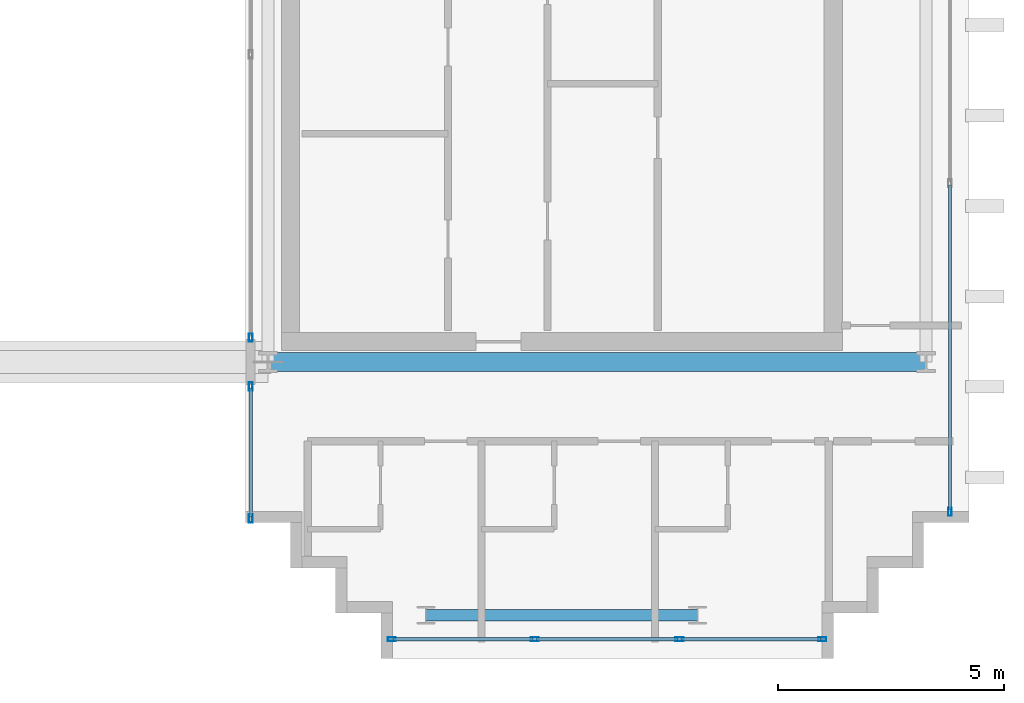
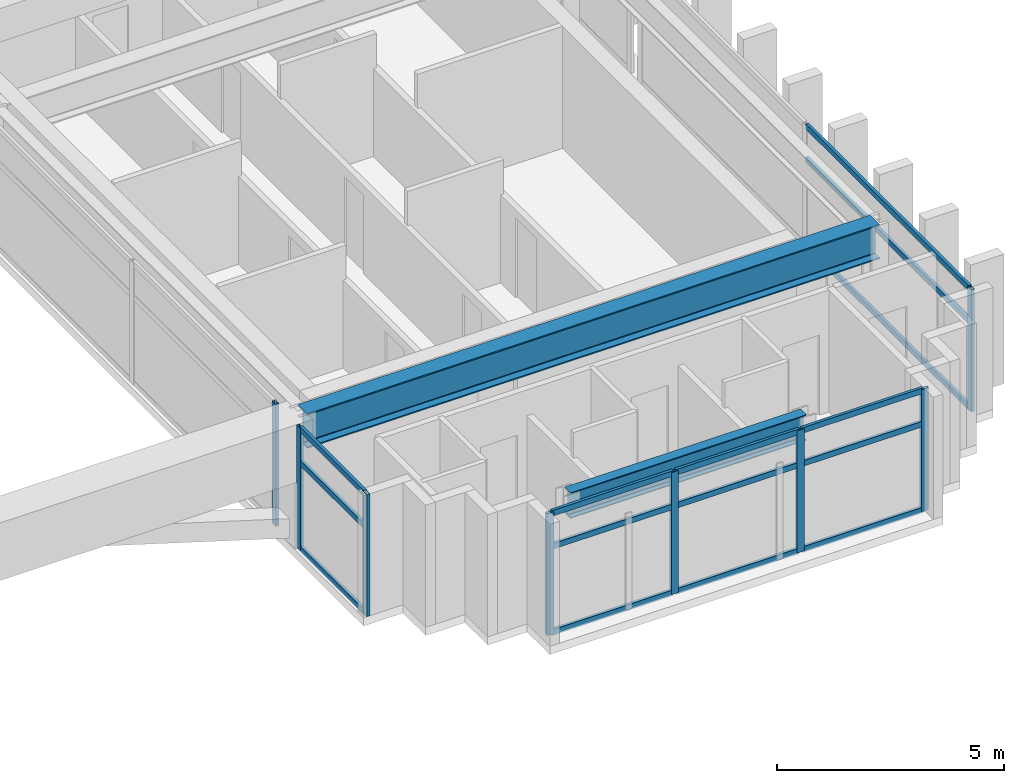
# One storey, part 11 of 28: 23 members, 2 beams, 4 elements without a shape of their own.
"""IFC4 building model written with IfcOpenShell, lengths in metres."""

from ifc_helpers import new_model, si_unit, direction, frame, origin, origin_2d, place, context, subcontext, project, spatial, hollow_rectangle, i_section, extrude, source, transform, mapped, material, layer, layer_set, material_profile, profile_set, type_object, element, aggregate, save


model = new_model("IFC4")

# Units and contexts
model_context = context("Model", 3, precision=1e-05, world=origin(), true_north=direction((0.0, 1.0)))
body_context = subcontext(model_context, "Body", "Model", "MODEL_VIEW")
ifc_project = project(units=[si_unit("LENGTHUNIT", "METRE"), si_unit("AREAUNIT", "SQUARE_METRE"), si_unit("VOLUMEUNIT", "CUBIC_METRE"), si_unit("PLANEANGLEUNIT", "RADIAN"), si_unit("MASSUNIT", "GRAM", prefix="KILO")], contexts=[model_context])

# Site, building, storey
site_placement = place(None, origin())
site = spatial("IfcSite", under=ifc_project, at=site_placement, CompositionType="ELEMENT")
building_placement = place(site_placement, origin())
building = spatial("IfcBuilding", under=site, at=building_placement, Name="Ocotamira Hotel", CompositionType="ELEMENT")
storey_placement = place(building_placement, frame((0.0, 0.0, 268.800048828125)))
storey = spatial("IfcBuildingStorey", under=building, at=storey_placement, Name="L68", CompositionType="ELEMENT", Elevation=268.800048828125)

# Beams
ifc_material_1 = material(Name="Steel ASTM A992 Grade 50", Category="steel")
ifc_material_profile_1 = material_profile(ifc_material_1, i_section(OverallWidth=0.41796875, OverallDepth=0.927001953125, WebThickness=0.019287109375, FlangeThickness=0.031982421875, FilletRadius=0.02392578125, at=origin_2d()), Name="W36X231")
ifc_profile_set_1 = profile_set([ifc_material_profile_1], Name="Steel ASTM A992 Grade 50")
beam_type_1 = type_object("IfcBeamType", Name="BM-GIRD-W36X231", PredefinedType="BEAM", material=ifc_profile_set_1)
shared_shape_1 = source(origin(), body_context, "Body", "SweptSolid", [
    extrude(i_section(OverallWidth=0.41796875, OverallDepth=0.927001953125, WebThickness=0.019287109375, FlangeThickness=0.031982421875, FilletRadius=0.02392578125, at=origin_2d()), origin(), (0.0, 0.0, 1.0), 14.550048828125),
])
beam_1_placement = place(storey_placement, frame((40.5, 14.550048828125, 2.81640625), z_axis=(1.0, 0.0, 0.0), x_axis=(0.0, 1.0, 0.0)))
element("IfcBeam", 1, at=beam_1_placement, inside=storey, type_object=beam_type_1, Name="L68 Girder Y14.55 X40.5-55.05", PredefinedType="BEAM", context=body_context, shape_type="MappedRepresentation", body=[
    mapped(shared_shape_1, transform((0.0, 0.0, 0.0), scale=1.0)),
])
ifc_material_profile_2 = material_profile(ifc_material_1, i_section(OverallWidth=0.256103515625, OverallDepth=0.693115234375, WebThickness=0.014404296875, FlangeThickness=0.023681640625, FilletRadius=0.01611328125, at=origin_2d()), Name="W27X114")
ifc_profile_set_2 = profile_set([ifc_material_profile_2], Name="Steel ASTM A992 Grade 50")
beam_type_2 = type_object("IfcBeamType", Name="BM-PRIM-W27X114", PredefinedType="BEAM", material=ifc_profile_set_2)
shared_shape_2 = source(origin(), body_context, "Body", "SweptSolid", [
    extrude(i_section(OverallWidth=0.256103515625, OverallDepth=0.693115234375, WebThickness=0.014404296875, FlangeThickness=0.023681640625, FilletRadius=0.01611328125, at=origin_2d()), origin(), (0.0, 0.0, 1.0), 6.0),
])
beam_2_placement = place(storey_placement, frame((44.0, 8.949951171875, 2.933349609375), z_axis=(1.0, 0.0, 0.0), x_axis=(0.0, 1.0, 0.0)))
element("IfcBeam", 2, at=beam_2_placement, inside=storey, type_object=beam_type_2, Name="L68 Girder Y8.95 X44-50", PredefinedType="BEAM", context=body_context, shape_type="MappedRepresentation", body=[
    mapped(shared_shape_2, transform((0.0, 0.0, 0.0), scale=1.0)),
])

# Curtain wall, members
ifc_material_2 = material(Name="Anodised pale-metal aluminium and solar glass", Category="aluminium")
ifc_layer = layer(ifc_material_2, 0.2099609375)
ifc_layer_set = layer_set([ifc_layer], Name="Anodised pale-metal aluminium and solar glass")
curtain_wall_type = type_object("IfcCurtainWallType", Name="CW-SYS7-PEAK", PredefinedType="NOTDEFINED", material=ifc_layer_set)
curtain_wall_1_placement = place(storey_placement, origin())
curtain_wall_1 = element("IfcCurtainWall", 3, at=curtain_wall_1_placement, inside=storey, type_object=curtain_wall_type, Name="L68 Curtain Wall CW-7 CW-L68-ES", PredefinedType="NOTDEFINED")
ifc_material_3 = material(Name="Anodised pale-metal aluminium 6063-T6", Category="aluminium")
ifc_material_profile_3 = material_profile(ifc_material_3, hollow_rectangle(XDim=0.080078125, YDim=0.179931640625, WallThickness=0.006103515625, at=origin_2d()), Name="HSS180X80X6")
ifc_profile_set_3 = profile_set([ifc_material_profile_3], Name="Anodised pale-metal aluminium 6063-T6")
member_type_1 = type_object("IfcMemberType", Name="CWM-180X75", PredefinedType="MULLION", material=ifc_profile_set_3)
shared_shape_3 = source(origin(), body_context, "Body", "SweptSolid", [
    extrude(hollow_rectangle(XDim=0.080078125, YDim=0.179931640625, WallThickness=0.006103515625, at=origin_2d()), origin(), (0.0, 0.0, 1.0), 3.280029296875),
])
member_1_placement = place(storey_placement, frame((43.239990234375, 8.419921875, 0.0), z_axis=(0.0, 0.0, 1.0), x_axis=(0.0, 1.0, 0.0)))
member_1 = element("IfcMember", 4, at=member_1_placement, type_object=member_type_1, Name="CW-7 mullion 1", PredefinedType="MULLION", context=body_context, shape_type="MappedRepresentation", body=[
    mapped(shared_shape_3, transform((0.0, 0.0, 0.0), scale=1.0)),
])
member_2_placement = place(storey_placement, frame((46.39990234375, 8.419921875, 0.0), z_axis=(0.0, 0.0, 1.0), x_axis=(0.0, 1.0, 0.0)))
member_2 = element("IfcMember", 5, at=member_2_placement, type_object=member_type_1, Name="CW-7 mullion 2", PredefinedType="MULLION", context=body_context, shape_type="MappedRepresentation", body=[
    mapped(shared_shape_3, transform((0.0, 0.0, 0.0), scale=1.0)),
])
member_3_placement = place(storey_placement, frame((49.60009765625, 8.419921875, 0.0), z_axis=(0.0, 0.0, 1.0), x_axis=(0.0, 1.0, 0.0)))
member_3 = element("IfcMember", 6, at=member_3_placement, type_object=member_type_1, Name="CW-7 mullion 3", PredefinedType="MULLION", context=body_context, shape_type="MappedRepresentation", body=[
    mapped(shared_shape_3, transform((0.0, 0.0, 0.0), scale=1.0)),
])
member_4_placement = place(storey_placement, frame((52.760009765625, 8.419921875, 0.0), z_axis=(0.0, 0.0, 1.0), x_axis=(0.0, 1.0, 0.0)))
member_4 = element("IfcMember", 7, at=member_4_placement, type_object=member_type_1, Name="CW-7 mullion 4", PredefinedType="MULLION", context=body_context, shape_type="MappedRepresentation", body=[
    mapped(shared_shape_3, transform((0.0, 0.0, 0.0), scale=1.0)),
])

# Curtain wall, member
curtain_wall_2_placement = place(storey_placement, origin())
curtain_wall_2 = element("IfcCurtainWall", 8, at=curtain_wall_2_placement, inside=storey, type_object=curtain_wall_type, Name="L68 Curtain Wall CW-7 CW-L68-EO1", PredefinedType="NOTDEFINED")
member_5_placement = place(storey_placement, frame((55.580078125, 11.239990234375, 0.0), z_axis=(0.0, 0.0, 1.0), x_axis=(-1.0, 0.0, 0.0)))
member_5 = element("IfcMember", 9, at=member_5_placement, type_object=member_type_1, Name="CW-7 mullion 1", PredefinedType="MULLION", context=body_context, shape_type="MappedRepresentation", body=[
    mapped(shared_shape_3, transform((0.0, 0.0, 0.0), scale=1.0)),
])

# Curtain wall, members
curtain_wall_3_placement = place(storey_placement, origin())
curtain_wall_3 = element("IfcCurtainWall", 10, at=curtain_wall_3_placement, inside=storey, type_object=curtain_wall_type, Name="L68 Curtain Wall CW-7 CW-L68-EI1", PredefinedType="NOTDEFINED")
member_6_placement = place(storey_placement, frame((40.1201171875, 11.090087890625, 0.0), z_axis=(0.0, 0.0, 1.0), x_axis=(-1.0, 0.0, 0.0)))
member_6 = element("IfcMember", 11, at=member_6_placement, type_object=member_type_1, Name="CW-7 mullion 1", PredefinedType="MULLION", context=body_context, shape_type="MappedRepresentation", body=[
    mapped(shared_shape_3, transform((0.0, 0.0, 0.0), scale=1.0)),
])
member_7_placement = place(storey_placement, frame((40.1201171875, 14.010009765625, 0.0), z_axis=(0.0, 0.0, 1.0), x_axis=(-1.0, 0.0, 0.0)))
member_7 = element("IfcMember", 12, at=member_7_placement, type_object=member_type_1, Name="CW-7 mullion 2", PredefinedType="MULLION", context=body_context, shape_type="MappedRepresentation", body=[
    mapped(shared_shape_3, transform((0.0, 0.0, 0.0), scale=1.0)),
])

# Curtain wall, member
curtain_wall_4_placement = place(storey_placement, origin())
curtain_wall_4 = element("IfcCurtainWall", 13, at=curtain_wall_4_placement, inside=storey, type_object=curtain_wall_type, Name="L68 Curtain Wall CW-7 CW-L68-EI2", PredefinedType="NOTDEFINED")
member_8_placement = place(storey_placement, frame((40.1201171875, 15.090087890625, 0.0), z_axis=(0.0, 0.0, 1.0), x_axis=(-1.0, 0.0, 0.0)))
member_8 = element("IfcMember", 14, at=member_8_placement, type_object=member_type_1, Name="CW-7 mullion 1", PredefinedType="MULLION", context=body_context, shape_type="MappedRepresentation", body=[
    mapped(shared_shape_3, transform((0.0, 0.0, 0.0), scale=1.0)),
])
aggregate(curtain_wall_4, [member_8])

# Member
ifc_material_profile_4 = material_profile(ifc_material_3, hollow_rectangle(XDim=0.074951171875, YDim=0.14990234375, WallThickness=0.006103515625, at=origin_2d()), Name="HSS150X75X6")
ifc_profile_set_4 = profile_set([ifc_material_profile_4], Name="Anodised pale-metal aluminium 6063-T6")
member_type_2 = type_object("IfcMemberType", Name="CWT-150X75", PredefinedType="USERDEFINED", material=ifc_profile_set_4)
shared_shape_4 = source(origin(), body_context, "Body", "SweptSolid", [
    extrude(hollow_rectangle(XDim=0.074951171875, YDim=0.14990234375, WallThickness=0.006103515625, at=origin_2d()), origin(), (0.0, 0.0, 1.0), 3.080078125),
])
member_9_placement = place(storey_placement, frame((43.280029296875, 8.419921875, 0.037353515625), z_axis=(1.0, 0.0, 0.0), x_axis=(0.0, 1.0, 0.0)))
member_9 = element("IfcMember", 15, at=member_9_placement, type_object=member_type_2, Name="CW-7 transom 1.1", ObjectType="TRANSOM", PredefinedType="USERDEFINED", context=body_context, shape_type="MappedRepresentation", body=[
    mapped(shared_shape_4, transform((0.0, 0.0, 0.0), scale=1.0)),
])

member_10_placement = place(storey_placement, frame((43.280029296875, 8.419921875, 2.349853515625), z_axis=(1.0, 0.0, 0.0), x_axis=(0.0, 1.0, 0.0)))
member_10 = element("IfcMember", 16, at=member_10_placement, type_object=member_type_2, Name="CW-7 transom 1.2", ObjectType="TRANSOM", PredefinedType="USERDEFINED", context=body_context, shape_type="MappedRepresentation", body=[
    mapped(shared_shape_4, transform((0.0, 0.0, 0.0), scale=1.0)),
])

member_11_placement = place(storey_placement, frame((43.280029296875, 8.419921875, 3.242431640625), z_axis=(1.0, 0.0, 0.0), x_axis=(0.0, 1.0, 0.0)))
member_11 = element("IfcMember", 17, at=member_11_placement, type_object=member_type_2, Name="CW-7 transom 1.3", ObjectType="TRANSOM", PredefinedType="USERDEFINED", context=body_context, shape_type="MappedRepresentation", body=[
    mapped(shared_shape_4, transform((0.0, 0.0, 0.0), scale=1.0)),
])

member_12_placement = place(storey_placement, frame((49.639892578125, 8.419921875, 0.037353515625), z_axis=(1.0, 0.0, 0.0), x_axis=(0.0, 1.0, 0.0)))
member_12 = element("IfcMember", 18, at=member_12_placement, type_object=member_type_2, Name="CW-7 transom 3.1", ObjectType="TRANSOM", PredefinedType="USERDEFINED", context=body_context, shape_type="MappedRepresentation", body=[
    mapped(shared_shape_4, transform((0.0, 0.0, 0.0), scale=1.0)),
])

member_13_placement = place(storey_placement, frame((49.639892578125, 8.419921875, 2.349853515625), z_axis=(1.0, 0.0, 0.0), x_axis=(0.0, 1.0, 0.0)))
member_13 = element("IfcMember", 19, at=member_13_placement, type_object=member_type_2, Name="CW-7 transom 3.2", ObjectType="TRANSOM", PredefinedType="USERDEFINED", context=body_context, shape_type="MappedRepresentation", body=[
    mapped(shared_shape_4, transform((0.0, 0.0, 0.0), scale=1.0)),
])

member_14_placement = place(storey_placement, frame((49.639892578125, 8.419921875, 3.242431640625), z_axis=(1.0, 0.0, 0.0), x_axis=(0.0, 1.0, 0.0)))
member_14 = element("IfcMember", 20, at=member_14_placement, type_object=member_type_2, Name="CW-7 transom 3.3", ObjectType="TRANSOM", PredefinedType="USERDEFINED", context=body_context, shape_type="MappedRepresentation", body=[
    mapped(shared_shape_4, transform((0.0, 0.0, 0.0), scale=1.0)),
])

shared_shape_5 = source(origin(), body_context, "Body", "SweptSolid", [
    extrude(hollow_rectangle(XDim=0.074951171875, YDim=0.14990234375, WallThickness=0.006103515625, at=origin_2d()), origin(), (0.0, 0.0, 1.0), 3.1201171875),
])
member_15_placement = place(storey_placement, frame((46.43994140625, 8.419921875, 0.037353515625), z_axis=(1.0, 0.0, 0.0), x_axis=(0.0, 1.0, 0.0)))
member_15 = element("IfcMember", 21, at=member_15_placement, type_object=member_type_2, Name="CW-7 transom 2.1", ObjectType="TRANSOM", PredefinedType="USERDEFINED", context=body_context, shape_type="MappedRepresentation", body=[
    mapped(shared_shape_5, transform((0.0, 0.0, 0.0), scale=1.0)),
])

member_16_placement = place(storey_placement, frame((46.43994140625, 8.419921875, 2.349853515625), z_axis=(1.0, 0.0, 0.0), x_axis=(0.0, 1.0, 0.0)))
member_16 = element("IfcMember", 22, at=member_16_placement, type_object=member_type_2, Name="CW-7 transom 2.2", ObjectType="TRANSOM", PredefinedType="USERDEFINED", context=body_context, shape_type="MappedRepresentation", body=[
    mapped(shared_shape_5, transform((0.0, 0.0, 0.0), scale=1.0)),
])

member_17_placement = place(storey_placement, frame((46.43994140625, 8.419921875, 3.242431640625), z_axis=(1.0, 0.0, 0.0), x_axis=(0.0, 1.0, 0.0)))
member_17 = element("IfcMember", 23, at=member_17_placement, type_object=member_type_2, Name="CW-7 transom 2.3", ObjectType="TRANSOM", PredefinedType="USERDEFINED", context=body_context, shape_type="MappedRepresentation", body=[
    mapped(shared_shape_5, transform((0.0, 0.0, 0.0), scale=1.0)),
])

aggregate(curtain_wall_1, [member_1, member_2, member_3, member_4, member_9, member_10, member_11, member_15, member_16, member_17, member_12, member_13, member_14])

shared_shape_6 = source(origin(), body_context, "Body", "SweptSolid", [
    extrude(hollow_rectangle(XDim=0.074951171875, YDim=0.14990234375, WallThickness=0.006103515625, at=origin_2d()), origin(), (0.0, 0.0, 1.0), 7.179931640625),
])
member_18_placement = place(storey_placement, frame((55.580078125, 11.280029296875, 0.037353515625), z_axis=(0.0, 1.0, 0.0), x_axis=(-1.0, 0.0, 0.0)))
member_18 = element("IfcMember", 24, at=member_18_placement, type_object=member_type_2, Name="CW-7 transom 1.1", ObjectType="TRANSOM", PredefinedType="USERDEFINED", context=body_context, shape_type="MappedRepresentation", body=[
    mapped(shared_shape_6, transform((0.0, 0.0, 0.0), scale=1.0)),
])

member_19_placement = place(storey_placement, frame((55.580078125, 11.280029296875, 2.349853515625), z_axis=(0.0, 1.0, 0.0), x_axis=(-1.0, 0.0, 0.0)))
member_19 = element("IfcMember", 25, at=member_19_placement, type_object=member_type_2, Name="CW-7 transom 1.2", ObjectType="TRANSOM", PredefinedType="USERDEFINED", context=body_context, shape_type="MappedRepresentation", body=[
    mapped(shared_shape_6, transform((0.0, 0.0, 0.0), scale=1.0)),
])

member_20_placement = place(storey_placement, frame((55.580078125, 11.280029296875, 3.242431640625), z_axis=(0.0, 1.0, 0.0), x_axis=(-1.0, 0.0, 0.0)))
member_20 = element("IfcMember", 26, at=member_20_placement, type_object=member_type_2, Name="CW-7 transom 1.3", ObjectType="TRANSOM", PredefinedType="USERDEFINED", context=body_context, shape_type="MappedRepresentation", body=[
    mapped(shared_shape_6, transform((0.0, 0.0, 0.0), scale=1.0)),
])

aggregate(curtain_wall_2, [member_5, member_18, member_19, member_20])

shared_shape_7 = source(origin(), body_context, "Body", "SweptSolid", [
    extrude(hollow_rectangle(XDim=0.074951171875, YDim=0.14990234375, WallThickness=0.006103515625, at=origin_2d()), origin(), (0.0, 0.0, 1.0), 2.840087890625),
])
member_21_placement = place(storey_placement, frame((40.1201171875, 11.1298828125, 0.037353515625), z_axis=(0.0, 1.0, 0.0), x_axis=(-1.0, 0.0, 0.0)))
member_21 = element("IfcMember", 27, at=member_21_placement, type_object=member_type_2, Name="CW-7 transom 1.1", ObjectType="TRANSOM", PredefinedType="USERDEFINED", context=body_context, shape_type="MappedRepresentation", body=[
    mapped(shared_shape_7, transform((0.0, 0.0, 0.0), scale=1.0)),
])

member_22_placement = place(storey_placement, frame((40.1201171875, 11.1298828125, 2.349853515625), z_axis=(0.0, 1.0, 0.0), x_axis=(-1.0, 0.0, 0.0)))
member_22 = element("IfcMember", 28, at=member_22_placement, type_object=member_type_2, Name="CW-7 transom 1.2", ObjectType="TRANSOM", PredefinedType="USERDEFINED", context=body_context, shape_type="MappedRepresentation", body=[
    mapped(shared_shape_7, transform((0.0, 0.0, 0.0), scale=1.0)),
])

member_23_placement = place(storey_placement, frame((40.1201171875, 11.1298828125, 3.242431640625), z_axis=(0.0, 1.0, 0.0), x_axis=(-1.0, 0.0, 0.0)))
member_23 = element("IfcMember", 29, at=member_23_placement, type_object=member_type_2, Name="CW-7 transom 1.3", ObjectType="TRANSOM", PredefinedType="USERDEFINED", context=body_context, shape_type="MappedRepresentation", body=[
    mapped(shared_shape_7, transform((0.0, 0.0, 0.0), scale=1.0)),
])

aggregate(curtain_wall_3, [member_6, member_7, member_21, member_22, member_23])

save(model, "model.ifc")
